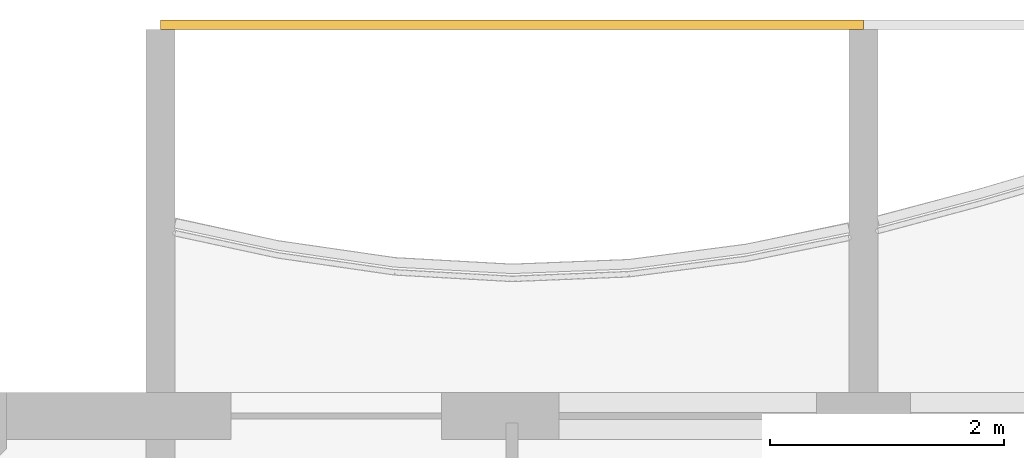
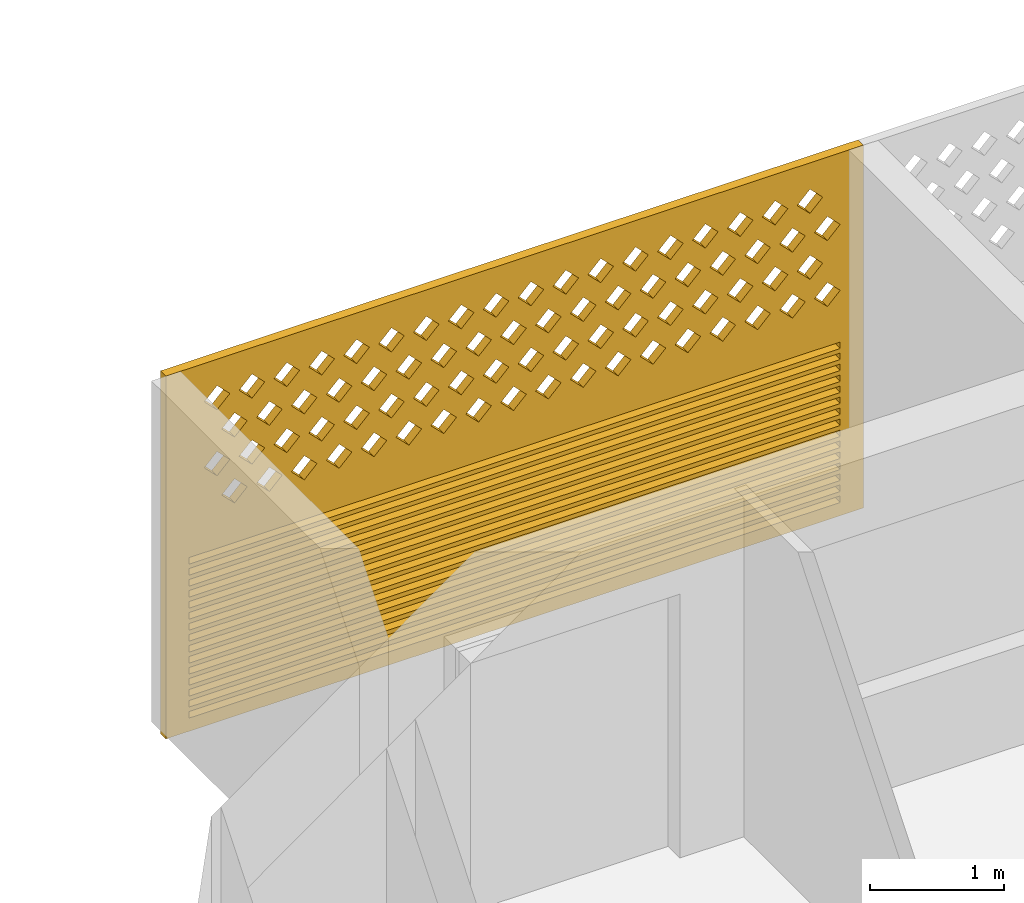
# One storey, part 16 of 28: 1 covering.
"""IFC4 building model written with IfcOpenShell, lengths in metres."""

from ifc_helpers import new_model, si_unit, direction, frame, origin, place, context, subcontext, project, spatial, polyline, outline, extrude, source, transform, mapped, material, material_profile, profile_set, type_object, element, save


model = new_model("IFC4")

# Units and contexts
model_context = context("Model", 3, precision=1e-05, world=origin(), true_north=direction((0.0, 1.0)))
body_context = subcontext(model_context, "Body", "Model", "MODEL_VIEW")
ifc_project = project(units=[si_unit("LENGTHUNIT", "METRE"), si_unit("AREAUNIT", "SQUARE_METRE"), si_unit("VOLUMEUNIT", "CUBIC_METRE"), si_unit("PLANEANGLEUNIT", "RADIAN"), si_unit("MASSUNIT", "GRAM", prefix="KILO")], contexts=[model_context])

# Site, building, storey
site_placement = place(None, origin())
site = spatial("IfcSite", under=ifc_project, at=site_placement, CompositionType="ELEMENT")
building_placement = place(site_placement, origin())
building = spatial("IfcBuilding", under=site, at=building_placement, Name="Poui Terraces", CompositionType="ELEMENT")
storey_placement = place(building_placement, frame((0.0, 0.0, 188.39990234375)))
storey = spatial("IfcBuildingStorey", under=building, at=storey_placement, Name="L52", CompositionType="ELEMENT", Elevation=188.39990234375)

# Covering
ifc_material = material(Name="Terracotta screen", Category="masonry")
ifc_material_profile = material_profile(ifc_material, outline(polyline([(-3.0, -1.64990234375), (3.0, -1.64990234375), (3.0, 1.64990234375), (-3.0, 1.64990234375), (-3.0, -1.64990234375)]), holes=[polyline([(-2.800048828125, 0.39990234375), (-2.68994140625, 0.2900390625), (-2.580078125, 0.39990234375), (-2.68994140625, 0.510009765625), (-2.800048828125, 0.39990234375)]), polyline([(-2.5, 0.39990234375), (-2.389892578125, 0.2900390625), (-2.280029296875, 0.39990234375), (-2.389892578125, 0.510009765625), (-2.5, 0.39990234375)]), polyline([(-2.199951171875, 0.39990234375), (-2.090087890625, 0.2900390625), (-1.97998046875, 0.39990234375), (-2.090087890625, 0.510009765625), (-2.199951171875, 0.39990234375)]), polyline([(-1.89990234375, 0.39990234375), (-1.7900390625, 0.2900390625), (-1.679931640625, 0.39990234375), (-1.7900390625, 0.510009765625), (-1.89990234375, 0.39990234375)]), polyline([(-1.60009765625, 0.39990234375), (-1.489990234375, 0.2900390625), (-1.3798828125, 0.39990234375), (-1.489990234375, 0.510009765625), (-1.60009765625, 0.39990234375)]), polyline([(-1.300048828125, 0.39990234375), (-1.18994140625, 0.2900390625), (-1.080078125, 0.39990234375), (-1.18994140625, 0.510009765625), (-1.300048828125, 0.39990234375)]), polyline([(-1.0, 0.39990234375), (-0.889892578125, 0.2900390625), (-0.780029296875, 0.39990234375), (-0.889892578125, 0.510009765625), (-1.0, 0.39990234375)]), polyline([(-0.699951171875, 0.39990234375), (-0.590087890625, 0.2900390625), (-0.47998046875, 0.39990234375), (-0.590087890625, 0.510009765625), (-0.699951171875, 0.39990234375)]), polyline([(-0.39990234375, 0.39990234375), (-0.2900390625, 0.2900390625), (-0.179931640625, 0.39990234375), (-0.2900390625, 0.510009765625), (-0.39990234375, 0.39990234375)]), polyline([(-0.10009765625, 0.39990234375), (0.010009765625, 0.2900390625), (0.1201171875, 0.39990234375), (0.010009765625, 0.510009765625), (-0.10009765625, 0.39990234375)]), polyline([(0.199951171875, 0.39990234375), (0.31005859375, 0.2900390625), (0.419921875, 0.39990234375), (0.31005859375, 0.510009765625), (0.199951171875, 0.39990234375)]), polyline([(0.5, 0.39990234375), (0.610107421875, 0.2900390625), (0.719970703125, 0.39990234375), (0.610107421875, 0.510009765625), (0.5, 0.39990234375)]), polyline([(0.800048828125, 0.39990234375), (0.909912109375, 0.2900390625), (1.02001953125, 0.39990234375), (0.909912109375, 0.510009765625), (0.800048828125, 0.39990234375)]), polyline([(1.10009765625, 0.39990234375), (1.2099609375, 0.2900390625), (1.320068359375, 0.39990234375), (1.2099609375, 0.510009765625), (1.10009765625, 0.39990234375)]), polyline([(1.39990234375, 0.39990234375), (1.510009765625, 0.2900390625), (1.6201171875, 0.39990234375), (1.510009765625, 0.510009765625), (1.39990234375, 0.39990234375)]), polyline([(1.699951171875, 0.39990234375), (1.81005859375, 0.2900390625), (1.919921875, 0.39990234375), (1.81005859375, 0.510009765625), (1.699951171875, 0.39990234375)]), polyline([(2.0, 0.39990234375), (2.110107421875, 0.2900390625), (2.219970703125, 0.39990234375), (2.110107421875, 0.510009765625), (2.0, 0.39990234375)]), polyline([(2.300048828125, 0.39990234375), (2.409912109375, 0.2900390625), (2.52001953125, 0.39990234375), (2.409912109375, 0.510009765625), (2.300048828125, 0.39990234375)]), polyline([(-2.64990234375, 0.699951171875), (-2.5400390625, 0.590087890625), (-2.429931640625, 0.699951171875), (-2.5400390625, 0.81005859375), (-2.64990234375, 0.699951171875)]), polyline([(-2.35009765625, 0.699951171875), (-2.239990234375, 0.590087890625), (-2.1298828125, 0.699951171875), (-2.239990234375, 0.81005859375), (-2.35009765625, 0.699951171875)]), polyline([(-2.050048828125, 0.699951171875), (-1.93994140625, 0.590087890625), (-1.830078125, 0.699951171875), (-1.93994140625, 0.81005859375), (-2.050048828125, 0.699951171875)]), polyline([(-1.75, 0.699951171875), (-1.639892578125, 0.590087890625), (-1.530029296875, 0.699951171875), (-1.639892578125, 0.81005859375), (-1.75, 0.699951171875)]), polyline([(-1.449951171875, 0.699951171875), (-1.340087890625, 0.590087890625), (-1.22998046875, 0.699951171875), (-1.340087890625, 0.81005859375), (-1.449951171875, 0.699951171875)]), polyline([(-1.14990234375, 0.699951171875), (-1.0400390625, 0.590087890625), (-0.929931640625, 0.699951171875), (-1.0400390625, 0.81005859375), (-1.14990234375, 0.699951171875)]), polyline([(-0.85009765625, 0.699951171875), (-0.739990234375, 0.590087890625), (-0.6298828125, 0.699951171875), (-0.739990234375, 0.81005859375), (-0.85009765625, 0.699951171875)]), polyline([(-0.550048828125, 0.699951171875), (-0.43994140625, 0.590087890625), (-0.330078125, 0.699951171875), (-0.43994140625, 0.81005859375), (-0.550048828125, 0.699951171875)]), polyline([(-0.25, 0.699951171875), (-0.139892578125, 0.590087890625), (-0.030029296875, 0.699951171875), (-0.139892578125, 0.81005859375), (-0.25, 0.699951171875)]), polyline([(0.050048828125, 0.699951171875), (0.159912109375, 0.590087890625), (0.27001953125, 0.699951171875), (0.159912109375, 0.81005859375), (0.050048828125, 0.699951171875)]), polyline([(0.35009765625, 0.699951171875), (0.4599609375, 0.590087890625), (0.570068359375, 0.699951171875), (0.4599609375, 0.81005859375), (0.35009765625, 0.699951171875)]), polyline([(0.64990234375, 0.699951171875), (0.760009765625, 0.590087890625), (0.8701171875, 0.699951171875), (0.760009765625, 0.81005859375), (0.64990234375, 0.699951171875)]), polyline([(0.949951171875, 0.699951171875), (1.06005859375, 0.590087890625), (1.169921875, 0.699951171875), (1.06005859375, 0.81005859375), (0.949951171875, 0.699951171875)]), polyline([(1.25, 0.699951171875), (1.360107421875, 0.590087890625), (1.469970703125, 0.699951171875), (1.360107421875, 0.81005859375), (1.25, 0.699951171875)]), polyline([(1.550048828125, 0.699951171875), (1.659912109375, 0.590087890625), (1.77001953125, 0.699951171875), (1.659912109375, 0.81005859375), (1.550048828125, 0.699951171875)]), polyline([(1.85009765625, 0.699951171875), (1.9599609375, 0.590087890625), (2.070068359375, 0.699951171875), (1.9599609375, 0.81005859375), (1.85009765625, 0.699951171875)]), polyline([(2.14990234375, 0.699951171875), (2.260009765625, 0.590087890625), (2.3701171875, 0.699951171875), (2.260009765625, 0.81005859375), (2.14990234375, 0.699951171875)]), polyline([(2.449951171875, 0.699951171875), (2.56005859375, 0.590087890625), (2.669921875, 0.699951171875), (2.56005859375, 0.81005859375), (2.449951171875, 0.699951171875)]), polyline([(-2.800048828125, 1.0), (-2.68994140625, 0.889892578125), (-2.580078125, 1.0), (-2.68994140625, 1.110107421875), (-2.800048828125, 1.0)]), polyline([(-2.5, 1.0), (-2.389892578125, 0.889892578125), (-2.280029296875, 1.0), (-2.389892578125, 1.110107421875), (-2.5, 1.0)]), polyline([(-2.199951171875, 1.0), (-2.090087890625, 0.889892578125), (-1.97998046875, 1.0), (-2.090087890625, 1.110107421875), (-2.199951171875, 1.0)]), polyline([(-1.89990234375, 1.0), (-1.7900390625, 0.889892578125), (-1.679931640625, 1.0), (-1.7900390625, 1.110107421875), (-1.89990234375, 1.0)]), polyline([(-1.60009765625, 1.0), (-1.489990234375, 0.889892578125), (-1.3798828125, 1.0), (-1.489990234375, 1.110107421875), (-1.60009765625, 1.0)]), polyline([(-1.300048828125, 1.0), (-1.18994140625, 0.889892578125), (-1.080078125, 1.0), (-1.18994140625, 1.110107421875), (-1.300048828125, 1.0)]), polyline([(-1.0, 1.0), (-0.889892578125, 0.889892578125), (-0.780029296875, 1.0), (-0.889892578125, 1.110107421875), (-1.0, 1.0)]), polyline([(-0.699951171875, 1.0), (-0.590087890625, 0.889892578125), (-0.47998046875, 1.0), (-0.590087890625, 1.110107421875), (-0.699951171875, 1.0)]), polyline([(-0.39990234375, 1.0), (-0.2900390625, 0.889892578125), (-0.179931640625, 1.0), (-0.2900390625, 1.110107421875), (-0.39990234375, 1.0)]), polyline([(-0.10009765625, 1.0), (0.010009765625, 0.889892578125), (0.1201171875, 1.0), (0.010009765625, 1.110107421875), (-0.10009765625, 1.0)]), polyline([(0.199951171875, 1.0), (0.31005859375, 0.889892578125), (0.419921875, 1.0), (0.31005859375, 1.110107421875), (0.199951171875, 1.0)]), polyline([(0.5, 1.0), (0.610107421875, 0.889892578125), (0.719970703125, 1.0), (0.610107421875, 1.110107421875), (0.5, 1.0)]), polyline([(0.800048828125, 1.0), (0.909912109375, 0.889892578125), (1.02001953125, 1.0), (0.909912109375, 1.110107421875), (0.800048828125, 1.0)]), polyline([(1.10009765625, 1.0), (1.2099609375, 0.889892578125), (1.320068359375, 1.0), (1.2099609375, 1.110107421875), (1.10009765625, 1.0)]), polyline([(1.39990234375, 1.0), (1.510009765625, 0.889892578125), (1.6201171875, 1.0), (1.510009765625, 1.110107421875), (1.39990234375, 1.0)]), polyline([(1.699951171875, 1.0), (1.81005859375, 0.889892578125), (1.919921875, 1.0), (1.81005859375, 1.110107421875), (1.699951171875, 1.0)]), polyline([(2.0, 1.0), (2.110107421875, 0.889892578125), (2.219970703125, 1.0), (2.110107421875, 1.110107421875), (2.0, 1.0)]), polyline([(2.300048828125, 1.0), (2.409912109375, 0.889892578125), (2.52001953125, 1.0), (2.409912109375, 1.110107421875), (2.300048828125, 1.0)]), polyline([(-2.64990234375, 1.300048828125), (-2.5400390625, 1.18994140625), (-2.429931640625, 1.300048828125), (-2.5400390625, 1.409912109375), (-2.64990234375, 1.300048828125)]), polyline([(-2.35009765625, 1.300048828125), (-2.239990234375, 1.18994140625), (-2.1298828125, 1.300048828125), (-2.239990234375, 1.409912109375), (-2.35009765625, 1.300048828125)]), polyline([(-2.050048828125, 1.300048828125), (-1.93994140625, 1.18994140625), (-1.830078125, 1.300048828125), (-1.93994140625, 1.409912109375), (-2.050048828125, 1.300048828125)]), polyline([(-1.75, 1.300048828125), (-1.639892578125, 1.18994140625), (-1.530029296875, 1.300048828125), (-1.639892578125, 1.409912109375), (-1.75, 1.300048828125)]), polyline([(-1.449951171875, 1.300048828125), (-1.340087890625, 1.18994140625), (-1.22998046875, 1.300048828125), (-1.340087890625, 1.409912109375), (-1.449951171875, 1.300048828125)]), polyline([(-1.14990234375, 1.300048828125), (-1.0400390625, 1.18994140625), (-0.929931640625, 1.300048828125), (-1.0400390625, 1.409912109375), (-1.14990234375, 1.300048828125)]), polyline([(-0.85009765625, 1.300048828125), (-0.739990234375, 1.18994140625), (-0.6298828125, 1.300048828125), (-0.739990234375, 1.409912109375), (-0.85009765625, 1.300048828125)]), polyline([(-0.550048828125, 1.300048828125), (-0.43994140625, 1.18994140625), (-0.330078125, 1.300048828125), (-0.43994140625, 1.409912109375), (-0.550048828125, 1.300048828125)]), polyline([(-0.25, 1.300048828125), (-0.139892578125, 1.18994140625), (-0.030029296875, 1.300048828125), (-0.139892578125, 1.409912109375), (-0.25, 1.300048828125)]), polyline([(0.050048828125, 1.300048828125), (0.159912109375, 1.18994140625), (0.27001953125, 1.300048828125), (0.159912109375, 1.409912109375), (0.050048828125, 1.300048828125)]), polyline([(0.35009765625, 1.300048828125), (0.4599609375, 1.18994140625), (0.570068359375, 1.300048828125), (0.4599609375, 1.409912109375), (0.35009765625, 1.300048828125)]), polyline([(0.64990234375, 1.300048828125), (0.760009765625, 1.18994140625), (0.8701171875, 1.300048828125), (0.760009765625, 1.409912109375), (0.64990234375, 1.300048828125)]), polyline([(0.949951171875, 1.300048828125), (1.06005859375, 1.18994140625), (1.169921875, 1.300048828125), (1.06005859375, 1.409912109375), (0.949951171875, 1.300048828125)]), polyline([(1.25, 1.300048828125), (1.360107421875, 1.18994140625), (1.469970703125, 1.300048828125), (1.360107421875, 1.409912109375), (1.25, 1.300048828125)]), polyline([(1.550048828125, 1.300048828125), (1.659912109375, 1.18994140625), (1.77001953125, 1.300048828125), (1.659912109375, 1.409912109375), (1.550048828125, 1.300048828125)]), polyline([(1.85009765625, 1.300048828125), (1.9599609375, 1.18994140625), (2.070068359375, 1.300048828125), (1.9599609375, 1.409912109375), (1.85009765625, 1.300048828125)]), polyline([(2.14990234375, 1.300048828125), (2.260009765625, 1.18994140625), (2.3701171875, 1.300048828125), (2.260009765625, 1.409912109375), (2.14990234375, 1.300048828125)]), polyline([(2.449951171875, 1.300048828125), (2.56005859375, 1.18994140625), (2.669921875, 1.300048828125), (2.56005859375, 1.409912109375), (2.449951171875, 1.300048828125)]), polyline([(-2.800048828125, -1.530029296875), (2.800048828125, -1.530029296875), (2.800048828125, -1.469970703125), (-2.800048828125, -1.469970703125), (-2.800048828125, -1.530029296875)]), polyline([(-2.800048828125, -1.429931640625), (2.800048828125, -1.429931640625), (2.800048828125, -1.3701171875), (-2.800048828125, -1.3701171875), (-2.800048828125, -1.429931640625)]), polyline([(-2.800048828125, -1.330078125), (2.800048828125, -1.330078125), (2.800048828125, -1.27001953125), (-2.800048828125, -1.27001953125), (-2.800048828125, -1.330078125)]), polyline([(-2.800048828125, -1.22998046875), (2.800048828125, -1.22998046875), (2.800048828125, -1.169921875), (-2.800048828125, -1.169921875), (-2.800048828125, -1.22998046875)]), polyline([(-2.800048828125, -1.1298828125), (2.800048828125, -1.1298828125), (2.800048828125, -1.070068359375), (-2.800048828125, -1.070068359375), (-2.800048828125, -1.1298828125)]), polyline([(-2.800048828125, -1.030029296875), (2.800048828125, -1.030029296875), (2.800048828125, -0.969970703125), (-2.800048828125, -0.969970703125), (-2.800048828125, -1.030029296875)]), polyline([(-2.800048828125, -0.929931640625), (2.800048828125, -0.929931640625), (2.800048828125, -0.8701171875), (-2.800048828125, -0.8701171875), (-2.800048828125, -0.929931640625)]), polyline([(-2.800048828125, -0.830078125), (2.800048828125, -0.830078125), (2.800048828125, -0.77001953125), (-2.800048828125, -0.77001953125), (-2.800048828125, -0.830078125)]), polyline([(-2.800048828125, -0.72998046875), (2.800048828125, -0.72998046875), (2.800048828125, -0.669921875), (-2.800048828125, -0.669921875), (-2.800048828125, -0.72998046875)]), polyline([(-2.800048828125, -0.6298828125), (2.800048828125, -0.6298828125), (2.800048828125, -0.570068359375), (-2.800048828125, -0.570068359375), (-2.800048828125, -0.6298828125)]), polyline([(-2.800048828125, -0.530029296875), (2.800048828125, -0.530029296875), (2.800048828125, -0.469970703125), (-2.800048828125, -0.469970703125), (-2.800048828125, -0.530029296875)]), polyline([(-2.800048828125, -0.429931640625), (2.800048828125, -0.429931640625), (2.800048828125, -0.3701171875), (-2.800048828125, -0.3701171875), (-2.800048828125, -0.429931640625)]), polyline([(-2.800048828125, -0.330078125), (2.800048828125, -0.330078125), (2.800048828125, -0.27001953125), (-2.800048828125, -0.27001953125), (-2.800048828125, -0.330078125)]), polyline([(-2.800048828125, -0.22998046875), (2.800048828125, -0.22998046875), (2.800048828125, -0.169921875), (-2.800048828125, -0.169921875), (-2.800048828125, -0.22998046875)]), polyline([(-2.800048828125, -0.1298828125), (2.800048828125, -0.1298828125), (2.800048828125, -0.070068359375), (-2.800048828125, -0.070068359375), (-2.800048828125, -0.1298828125)])]), Name="TERRACOTTA SCREEN AND JALOUSIE LOUVRE 6000X3300")
ifc_profile_set = profile_set([ifc_material_profile], Name="Terracotta screen")
covering_type = type_object("IfcCoveringType", Name="TERRACOTTA SCREEN AND JALOUSIE LOUVRE 6000X3300", PredefinedType="CLADDING", material=ifc_profile_set)
shared_shape = source(origin(), body_context, "Body", "SweptSolid", [
    extrude(outline(polyline([(-3.0, -1.64990234375), (3.0, -1.64990234375), (3.0, 1.64990234375), (-3.0, 1.64990234375), (-3.0, -1.64990234375)]), holes=[polyline([(-2.800048828125, 0.39990234375), (-2.68994140625, 0.2900390625), (-2.580078125, 0.39990234375), (-2.68994140625, 0.510009765625), (-2.800048828125, 0.39990234375)]), polyline([(-2.5, 0.39990234375), (-2.389892578125, 0.2900390625), (-2.280029296875, 0.39990234375), (-2.389892578125, 0.510009765625), (-2.5, 0.39990234375)]), polyline([(-2.199951171875, 0.39990234375), (-2.090087890625, 0.2900390625), (-1.97998046875, 0.39990234375), (-2.090087890625, 0.510009765625), (-2.199951171875, 0.39990234375)]), polyline([(-1.89990234375, 0.39990234375), (-1.7900390625, 0.2900390625), (-1.679931640625, 0.39990234375), (-1.7900390625, 0.510009765625), (-1.89990234375, 0.39990234375)]), polyline([(-1.60009765625, 0.39990234375), (-1.489990234375, 0.2900390625), (-1.3798828125, 0.39990234375), (-1.489990234375, 0.510009765625), (-1.60009765625, 0.39990234375)]), polyline([(-1.300048828125, 0.39990234375), (-1.18994140625, 0.2900390625), (-1.080078125, 0.39990234375), (-1.18994140625, 0.510009765625), (-1.300048828125, 0.39990234375)]), polyline([(-1.0, 0.39990234375), (-0.889892578125, 0.2900390625), (-0.780029296875, 0.39990234375), (-0.889892578125, 0.510009765625), (-1.0, 0.39990234375)]), polyline([(-0.699951171875, 0.39990234375), (-0.590087890625, 0.2900390625), (-0.47998046875, 0.39990234375), (-0.590087890625, 0.510009765625), (-0.699951171875, 0.39990234375)]), polyline([(-0.39990234375, 0.39990234375), (-0.2900390625, 0.2900390625), (-0.179931640625, 0.39990234375), (-0.2900390625, 0.510009765625), (-0.39990234375, 0.39990234375)]), polyline([(-0.10009765625, 0.39990234375), (0.010009765625, 0.2900390625), (0.1201171875, 0.39990234375), (0.010009765625, 0.510009765625), (-0.10009765625, 0.39990234375)]), polyline([(0.199951171875, 0.39990234375), (0.31005859375, 0.2900390625), (0.419921875, 0.39990234375), (0.31005859375, 0.510009765625), (0.199951171875, 0.39990234375)]), polyline([(0.5, 0.39990234375), (0.610107421875, 0.2900390625), (0.719970703125, 0.39990234375), (0.610107421875, 0.510009765625), (0.5, 0.39990234375)]), polyline([(0.800048828125, 0.39990234375), (0.909912109375, 0.2900390625), (1.02001953125, 0.39990234375), (0.909912109375, 0.510009765625), (0.800048828125, 0.39990234375)]), polyline([(1.10009765625, 0.39990234375), (1.2099609375, 0.2900390625), (1.320068359375, 0.39990234375), (1.2099609375, 0.510009765625), (1.10009765625, 0.39990234375)]), polyline([(1.39990234375, 0.39990234375), (1.510009765625, 0.2900390625), (1.6201171875, 0.39990234375), (1.510009765625, 0.510009765625), (1.39990234375, 0.39990234375)]), polyline([(1.699951171875, 0.39990234375), (1.81005859375, 0.2900390625), (1.919921875, 0.39990234375), (1.81005859375, 0.510009765625), (1.699951171875, 0.39990234375)]), polyline([(2.0, 0.39990234375), (2.110107421875, 0.2900390625), (2.219970703125, 0.39990234375), (2.110107421875, 0.510009765625), (2.0, 0.39990234375)]), polyline([(2.300048828125, 0.39990234375), (2.409912109375, 0.2900390625), (2.52001953125, 0.39990234375), (2.409912109375, 0.510009765625), (2.300048828125, 0.39990234375)]), polyline([(-2.64990234375, 0.699951171875), (-2.5400390625, 0.590087890625), (-2.429931640625, 0.699951171875), (-2.5400390625, 0.81005859375), (-2.64990234375, 0.699951171875)]), polyline([(-2.35009765625, 0.699951171875), (-2.239990234375, 0.590087890625), (-2.1298828125, 0.699951171875), (-2.239990234375, 0.81005859375), (-2.35009765625, 0.699951171875)]), polyline([(-2.050048828125, 0.699951171875), (-1.93994140625, 0.590087890625), (-1.830078125, 0.699951171875), (-1.93994140625, 0.81005859375), (-2.050048828125, 0.699951171875)]), polyline([(-1.75, 0.699951171875), (-1.639892578125, 0.590087890625), (-1.530029296875, 0.699951171875), (-1.639892578125, 0.81005859375), (-1.75, 0.699951171875)]), polyline([(-1.449951171875, 0.699951171875), (-1.340087890625, 0.590087890625), (-1.22998046875, 0.699951171875), (-1.340087890625, 0.81005859375), (-1.449951171875, 0.699951171875)]), polyline([(-1.14990234375, 0.699951171875), (-1.0400390625, 0.590087890625), (-0.929931640625, 0.699951171875), (-1.0400390625, 0.81005859375), (-1.14990234375, 0.699951171875)]), polyline([(-0.85009765625, 0.699951171875), (-0.739990234375, 0.590087890625), (-0.6298828125, 0.699951171875), (-0.739990234375, 0.81005859375), (-0.85009765625, 0.699951171875)]), polyline([(-0.550048828125, 0.699951171875), (-0.43994140625, 0.590087890625), (-0.330078125, 0.699951171875), (-0.43994140625, 0.81005859375), (-0.550048828125, 0.699951171875)]), polyline([(-0.25, 0.699951171875), (-0.139892578125, 0.590087890625), (-0.030029296875, 0.699951171875), (-0.139892578125, 0.81005859375), (-0.25, 0.699951171875)]), polyline([(0.050048828125, 0.699951171875), (0.159912109375, 0.590087890625), (0.27001953125, 0.699951171875), (0.159912109375, 0.81005859375), (0.050048828125, 0.699951171875)]), polyline([(0.35009765625, 0.699951171875), (0.4599609375, 0.590087890625), (0.570068359375, 0.699951171875), (0.4599609375, 0.81005859375), (0.35009765625, 0.699951171875)]), polyline([(0.64990234375, 0.699951171875), (0.760009765625, 0.590087890625), (0.8701171875, 0.699951171875), (0.760009765625, 0.81005859375), (0.64990234375, 0.699951171875)]), polyline([(0.949951171875, 0.699951171875), (1.06005859375, 0.590087890625), (1.169921875, 0.699951171875), (1.06005859375, 0.81005859375), (0.949951171875, 0.699951171875)]), polyline([(1.25, 0.699951171875), (1.360107421875, 0.590087890625), (1.469970703125, 0.699951171875), (1.360107421875, 0.81005859375), (1.25, 0.699951171875)]), polyline([(1.550048828125, 0.699951171875), (1.659912109375, 0.590087890625), (1.77001953125, 0.699951171875), (1.659912109375, 0.81005859375), (1.550048828125, 0.699951171875)]), polyline([(1.85009765625, 0.699951171875), (1.9599609375, 0.590087890625), (2.070068359375, 0.699951171875), (1.9599609375, 0.81005859375), (1.85009765625, 0.699951171875)]), polyline([(2.14990234375, 0.699951171875), (2.260009765625, 0.590087890625), (2.3701171875, 0.699951171875), (2.260009765625, 0.81005859375), (2.14990234375, 0.699951171875)]), polyline([(2.449951171875, 0.699951171875), (2.56005859375, 0.590087890625), (2.669921875, 0.699951171875), (2.56005859375, 0.81005859375), (2.449951171875, 0.699951171875)]), polyline([(-2.800048828125, 1.0), (-2.68994140625, 0.889892578125), (-2.580078125, 1.0), (-2.68994140625, 1.110107421875), (-2.800048828125, 1.0)]), polyline([(-2.5, 1.0), (-2.389892578125, 0.889892578125), (-2.280029296875, 1.0), (-2.389892578125, 1.110107421875), (-2.5, 1.0)]), polyline([(-2.199951171875, 1.0), (-2.090087890625, 0.889892578125), (-1.97998046875, 1.0), (-2.090087890625, 1.110107421875), (-2.199951171875, 1.0)]), polyline([(-1.89990234375, 1.0), (-1.7900390625, 0.889892578125), (-1.679931640625, 1.0), (-1.7900390625, 1.110107421875), (-1.89990234375, 1.0)]), polyline([(-1.60009765625, 1.0), (-1.489990234375, 0.889892578125), (-1.3798828125, 1.0), (-1.489990234375, 1.110107421875), (-1.60009765625, 1.0)]), polyline([(-1.300048828125, 1.0), (-1.18994140625, 0.889892578125), (-1.080078125, 1.0), (-1.18994140625, 1.110107421875), (-1.300048828125, 1.0)]), polyline([(-1.0, 1.0), (-0.889892578125, 0.889892578125), (-0.780029296875, 1.0), (-0.889892578125, 1.110107421875), (-1.0, 1.0)]), polyline([(-0.699951171875, 1.0), (-0.590087890625, 0.889892578125), (-0.47998046875, 1.0), (-0.590087890625, 1.110107421875), (-0.699951171875, 1.0)]), polyline([(-0.39990234375, 1.0), (-0.2900390625, 0.889892578125), (-0.179931640625, 1.0), (-0.2900390625, 1.110107421875), (-0.39990234375, 1.0)]), polyline([(-0.10009765625, 1.0), (0.010009765625, 0.889892578125), (0.1201171875, 1.0), (0.010009765625, 1.110107421875), (-0.10009765625, 1.0)]), polyline([(0.199951171875, 1.0), (0.31005859375, 0.889892578125), (0.419921875, 1.0), (0.31005859375, 1.110107421875), (0.199951171875, 1.0)]), polyline([(0.5, 1.0), (0.610107421875, 0.889892578125), (0.719970703125, 1.0), (0.610107421875, 1.110107421875), (0.5, 1.0)]), polyline([(0.800048828125, 1.0), (0.909912109375, 0.889892578125), (1.02001953125, 1.0), (0.909912109375, 1.110107421875), (0.800048828125, 1.0)]), polyline([(1.10009765625, 1.0), (1.2099609375, 0.889892578125), (1.320068359375, 1.0), (1.2099609375, 1.110107421875), (1.10009765625, 1.0)]), polyline([(1.39990234375, 1.0), (1.510009765625, 0.889892578125), (1.6201171875, 1.0), (1.510009765625, 1.110107421875), (1.39990234375, 1.0)]), polyline([(1.699951171875, 1.0), (1.81005859375, 0.889892578125), (1.919921875, 1.0), (1.81005859375, 1.110107421875), (1.699951171875, 1.0)]), polyline([(2.0, 1.0), (2.110107421875, 0.889892578125), (2.219970703125, 1.0), (2.110107421875, 1.110107421875), (2.0, 1.0)]), polyline([(2.300048828125, 1.0), (2.409912109375, 0.889892578125), (2.52001953125, 1.0), (2.409912109375, 1.110107421875), (2.300048828125, 1.0)]), polyline([(-2.64990234375, 1.300048828125), (-2.5400390625, 1.18994140625), (-2.429931640625, 1.300048828125), (-2.5400390625, 1.409912109375), (-2.64990234375, 1.300048828125)]), polyline([(-2.35009765625, 1.300048828125), (-2.239990234375, 1.18994140625), (-2.1298828125, 1.300048828125), (-2.239990234375, 1.409912109375), (-2.35009765625, 1.300048828125)]), polyline([(-2.050048828125, 1.300048828125), (-1.93994140625, 1.18994140625), (-1.830078125, 1.300048828125), (-1.93994140625, 1.409912109375), (-2.050048828125, 1.300048828125)]), polyline([(-1.75, 1.300048828125), (-1.639892578125, 1.18994140625), (-1.530029296875, 1.300048828125), (-1.639892578125, 1.409912109375), (-1.75, 1.300048828125)]), polyline([(-1.449951171875, 1.300048828125), (-1.340087890625, 1.18994140625), (-1.22998046875, 1.300048828125), (-1.340087890625, 1.409912109375), (-1.449951171875, 1.300048828125)]), polyline([(-1.14990234375, 1.300048828125), (-1.0400390625, 1.18994140625), (-0.929931640625, 1.300048828125), (-1.0400390625, 1.409912109375), (-1.14990234375, 1.300048828125)]), polyline([(-0.85009765625, 1.300048828125), (-0.739990234375, 1.18994140625), (-0.6298828125, 1.300048828125), (-0.739990234375, 1.409912109375), (-0.85009765625, 1.300048828125)]), polyline([(-0.550048828125, 1.300048828125), (-0.43994140625, 1.18994140625), (-0.330078125, 1.300048828125), (-0.43994140625, 1.409912109375), (-0.550048828125, 1.300048828125)]), polyline([(-0.25, 1.300048828125), (-0.139892578125, 1.18994140625), (-0.030029296875, 1.300048828125), (-0.139892578125, 1.409912109375), (-0.25, 1.300048828125)]), polyline([(0.050048828125, 1.300048828125), (0.159912109375, 1.18994140625), (0.27001953125, 1.300048828125), (0.159912109375, 1.409912109375), (0.050048828125, 1.300048828125)]), polyline([(0.35009765625, 1.300048828125), (0.4599609375, 1.18994140625), (0.570068359375, 1.300048828125), (0.4599609375, 1.409912109375), (0.35009765625, 1.300048828125)]), polyline([(0.64990234375, 1.300048828125), (0.760009765625, 1.18994140625), (0.8701171875, 1.300048828125), (0.760009765625, 1.409912109375), (0.64990234375, 1.300048828125)]), polyline([(0.949951171875, 1.300048828125), (1.06005859375, 1.18994140625), (1.169921875, 1.300048828125), (1.06005859375, 1.409912109375), (0.949951171875, 1.300048828125)]), polyline([(1.25, 1.300048828125), (1.360107421875, 1.18994140625), (1.469970703125, 1.300048828125), (1.360107421875, 1.409912109375), (1.25, 1.300048828125)]), polyline([(1.550048828125, 1.300048828125), (1.659912109375, 1.18994140625), (1.77001953125, 1.300048828125), (1.659912109375, 1.409912109375), (1.550048828125, 1.300048828125)]), polyline([(1.85009765625, 1.300048828125), (1.9599609375, 1.18994140625), (2.070068359375, 1.300048828125), (1.9599609375, 1.409912109375), (1.85009765625, 1.300048828125)]), polyline([(2.14990234375, 1.300048828125), (2.260009765625, 1.18994140625), (2.3701171875, 1.300048828125), (2.260009765625, 1.409912109375), (2.14990234375, 1.300048828125)]), polyline([(2.449951171875, 1.300048828125), (2.56005859375, 1.18994140625), (2.669921875, 1.300048828125), (2.56005859375, 1.409912109375), (2.449951171875, 1.300048828125)]), polyline([(-2.800048828125, -1.530029296875), (2.800048828125, -1.530029296875), (2.800048828125, -1.469970703125), (-2.800048828125, -1.469970703125), (-2.800048828125, -1.530029296875)]), polyline([(-2.800048828125, -1.429931640625), (2.800048828125, -1.429931640625), (2.800048828125, -1.3701171875), (-2.800048828125, -1.3701171875), (-2.800048828125, -1.429931640625)]), polyline([(-2.800048828125, -1.330078125), (2.800048828125, -1.330078125), (2.800048828125, -1.27001953125), (-2.800048828125, -1.27001953125), (-2.800048828125, -1.330078125)]), polyline([(-2.800048828125, -1.22998046875), (2.800048828125, -1.22998046875), (2.800048828125, -1.169921875), (-2.800048828125, -1.169921875), (-2.800048828125, -1.22998046875)]), polyline([(-2.800048828125, -1.1298828125), (2.800048828125, -1.1298828125), (2.800048828125, -1.070068359375), (-2.800048828125, -1.070068359375), (-2.800048828125, -1.1298828125)]), polyline([(-2.800048828125, -1.030029296875), (2.800048828125, -1.030029296875), (2.800048828125, -0.969970703125), (-2.800048828125, -0.969970703125), (-2.800048828125, -1.030029296875)]), polyline([(-2.800048828125, -0.929931640625), (2.800048828125, -0.929931640625), (2.800048828125, -0.8701171875), (-2.800048828125, -0.8701171875), (-2.800048828125, -0.929931640625)]), polyline([(-2.800048828125, -0.830078125), (2.800048828125, -0.830078125), (2.800048828125, -0.77001953125), (-2.800048828125, -0.77001953125), (-2.800048828125, -0.830078125)]), polyline([(-2.800048828125, -0.72998046875), (2.800048828125, -0.72998046875), (2.800048828125, -0.669921875), (-2.800048828125, -0.669921875), (-2.800048828125, -0.72998046875)]), polyline([(-2.800048828125, -0.6298828125), (2.800048828125, -0.6298828125), (2.800048828125, -0.570068359375), (-2.800048828125, -0.570068359375), (-2.800048828125, -0.6298828125)]), polyline([(-2.800048828125, -0.530029296875), (2.800048828125, -0.530029296875), (2.800048828125, -0.469970703125), (-2.800048828125, -0.469970703125), (-2.800048828125, -0.530029296875)]), polyline([(-2.800048828125, -0.429931640625), (2.800048828125, -0.429931640625), (2.800048828125, -0.3701171875), (-2.800048828125, -0.3701171875), (-2.800048828125, -0.429931640625)]), polyline([(-2.800048828125, -0.330078125), (2.800048828125, -0.330078125), (2.800048828125, -0.27001953125), (-2.800048828125, -0.27001953125), (-2.800048828125, -0.330078125)]), polyline([(-2.800048828125, -0.22998046875), (2.800048828125, -0.22998046875), (2.800048828125, -0.169921875), (-2.800048828125, -0.169921875), (-2.800048828125, -0.22998046875)]), polyline([(-2.800048828125, -0.1298828125), (2.800048828125, -0.1298828125), (2.800048828125, -0.070068359375), (-2.800048828125, -0.070068359375), (-2.800048828125, -0.1298828125)])]), origin(), (0.0, 0.0, 1.0), 0.080078125),
])
covering_placement = place(storey_placement, frame((27.0, 44.5, 1.4501953125), z_axis=(0.0, 1.0, 0.0), x_axis=(-1.0, 0.0, 0.0)))
element("IfcCovering", 1, at=covering_placement, inside=storey, type_object=covering_type, Name="SOLAR SCREEN AND JALOUSIE LOUVRE", PredefinedType="CLADDING", context=body_context, shape_type="MappedRepresentation", body=[
    mapped(shared_shape, transform((0.0, 0.0, 0.0))),
])

save(model, "model.ifc")
